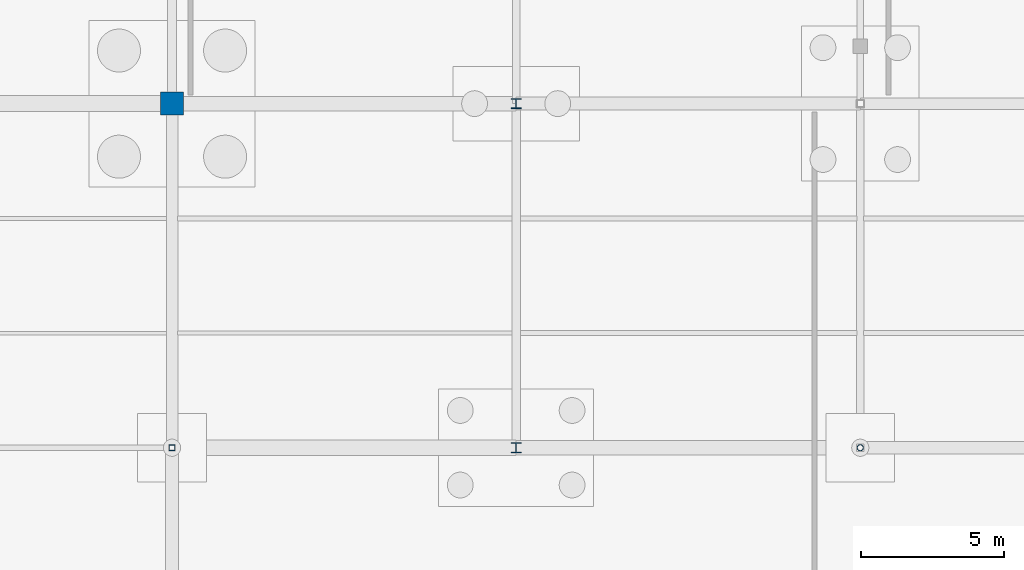
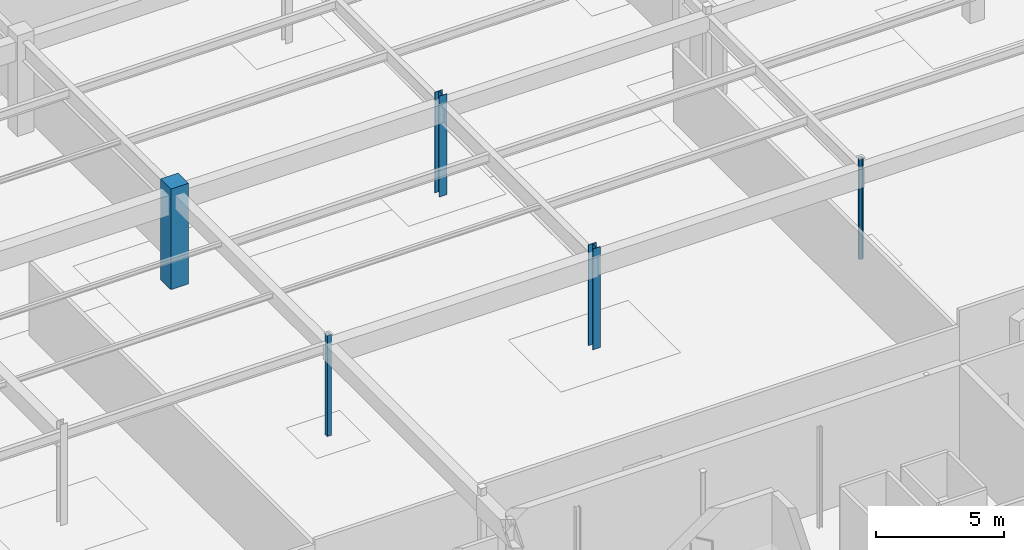
# One storey, part 26 of 136: 5 columns.
"""IFC4 building model written with IfcOpenShell, lengths in metres."""

from ifc_helpers import new_model, si_unit, direction, frame, origin, origin_2d, place, context, subcontext, project, spatial, rectangle, hollow_rectangle, hollow_circle, i_section, extrude, material, material_profile, profile_set, type_object, element, save


model = new_model("IFC4")

# Units and contexts
model_context = context("Model", 3, precision=1e-05, world=origin(), true_north=direction((0.0, 1.0)))
body_context = subcontext(model_context, "Body", "Model", "MODEL_VIEW")
ifc_project = project(units=[si_unit("LENGTHUNIT", "METRE"), si_unit("AREAUNIT", "SQUARE_METRE"), si_unit("VOLUMEUNIT", "CUBIC_METRE"), si_unit("PLANEANGLEUNIT", "RADIAN"), si_unit("MASSUNIT", "GRAM", prefix="KILO")], contexts=[model_context])

# Site, building, storey
site_placement = place(None, origin())
site = spatial("IfcSite", under=ifc_project, at=site_placement, CompositionType="ELEMENT")
building_placement = place(site_placement, origin())
building = spatial("IfcBuilding", under=site, at=building_placement, Name="Tarnwether General Hospital", CompositionType="ELEMENT")
storey_placement = place(building_placement, frame((0.0, 0.0, -4.800048828125)))
storey = spatial("IfcBuildingStorey", under=building, at=storey_placement, Name="LG", CompositionType="ELEMENT", Elevation=-4.800048828125)

# Columns
ifc_material_1 = material(Name="Steel Grade 350 (350 MPa)", Category="steel")
ifc_material_profile_1 = material_profile(ifc_material_1, i_section(OverallWidth=0.35009765625, OverallDepth=0.360107421875, WebThickness=0.01611328125, FlangeThickness=0.028076171875, at=origin_2d()), Name="350WC230")
ifc_profile_set_1 = profile_set([ifc_material_profile_1], Name="Steel Grade 350 (350 MPa)")
column_type_1 = type_object("IfcColumnType", Name="COL-03", PredefinedType="COLUMN", material=ifc_profile_set_1)
column_1_placement = place(storey_placement, frame((96.0, 33.60009765625, 0.0), z_axis=(0.0, 0.0, 1.0), x_axis=(1.0, 0.0, 0.0)))
element("IfcColumn", 1, at=column_1_placement, inside=storey, type_object=column_type_1, Name="Column COLG-LG-9600_3360", PredefinedType="COLUMN", context=body_context, shape_type="SweptSolid", body=[
    extrude(i_section(OverallWidth=0.35009765625, OverallDepth=0.360107421875, WebThickness=0.01611328125, FlangeThickness=0.028076171875, at=origin_2d()), origin(), (0.0, 0.0, 1.0), 4.800048828125),
])
ifc_material_2 = material(Name="Steel Grade 350 (350 MPa)", Category="steel")
ifc_material_profile_2 = material_profile(ifc_material_2, i_section(OverallWidth=0.35009765625, OverallDepth=0.35009765625, WebThickness=0.013916015625, FlangeThickness=0.02392578125, at=origin_2d()), Name="350WC197")
ifc_profile_set_2 = profile_set([ifc_material_profile_2], Name="Steel Grade 350 (350 MPa)")
column_type_2 = type_object("IfcColumnType", Name="COL-04", PredefinedType="COLUMN", material=ifc_profile_set_2)
column_2_placement = place(storey_placement, frame((96.0, 45.60009765625, 0.0), z_axis=(0.0, 0.0, 1.0), x_axis=(1.0, 0.0, 0.0)))
element("IfcColumn", 2, at=column_2_placement, inside=storey, type_object=column_type_2, Name="Column COLG-LG-9600_4560", PredefinedType="COLUMN", context=body_context, shape_type="SweptSolid", body=[
    extrude(i_section(OverallWidth=0.35009765625, OverallDepth=0.35009765625, WebThickness=0.013916015625, FlangeThickness=0.02392578125, at=origin_2d()), origin(), (0.0, 0.0, 1.0), 4.800048828125),
])
ifc_material_3 = material(Name="Steel Grade C350L0 (350 MPa)", Category="steel")
ifc_material_profile_3 = material_profile(ifc_material_3, hollow_circle(Radius=0.109619140625, WallThickness=0.010009765625, at=origin_2d()), Name="CHS219.1x10.0")
ifc_profile_set_3 = profile_set([ifc_material_profile_3], Name="Steel Grade C350L0 (350 MPa)")
column_type_3 = type_object("IfcColumnType", Name="COL-13", PredefinedType="COLUMN", material=ifc_profile_set_3)
column_3_placement = place(storey_placement, frame((108.0, 33.60009765625, 0.0), z_axis=(0.0, 0.0, 1.0), x_axis=(0.0, 1.0, 0.0)))
element("IfcColumn", 3, at=column_3_placement, inside=storey, type_object=column_type_3, Name="Column COLG-LG-10800_3360", PredefinedType="COLUMN", context=body_context, shape_type="SweptSolid", body=[
    extrude(hollow_circle(Radius=0.109619140625, WallThickness=0.010009765625, at=origin_2d()), origin(), (0.0, 0.0, 1.0), 4.800048828125),
])
ifc_material_4 = material(Name="Steel Grade C350L0 (350 MPa)", Category="steel")
ifc_material_profile_4 = material_profile(ifc_material_4, hollow_rectangle(XDim=0.199951171875, YDim=0.199951171875, WallThickness=0.010009765625, at=origin_2d()), Name="SHS200x200x10")
ifc_profile_set_4 = profile_set([ifc_material_profile_4], Name="Steel Grade C350L0 (350 MPa)")
column_type_4 = type_object("IfcColumnType", Name="COL-15", PredefinedType="COLUMN", material=ifc_profile_set_4)
column_4_placement = place(storey_placement, frame((84.0, 33.60009765625, 0.0), z_axis=(0.0, 0.0, 1.0), x_axis=(0.0, 1.0, 0.0)))
element("IfcColumn", 4, at=column_4_placement, inside=storey, type_object=column_type_4, Name="Column COLG-LG-8400_3360", PredefinedType="COLUMN", context=body_context, shape_type="SweptSolid", body=[
    extrude(hollow_rectangle(XDim=0.199951171875, YDim=0.199951171875, WallThickness=0.010009765625, at=origin_2d()), origin(), (0.0, 0.0, 1.0), 4.800048828125),
])
ifc_material_5 = material(Name="Concrete 50 MPa", Category="concrete")
ifc_material_profile_5 = material_profile(ifc_material_5, rectangle(XDim=0.800048828125, YDim=0.800048828125, at=origin_2d()), Name="RC-COL-800x800")
ifc_profile_set_5 = profile_set([ifc_material_profile_5], Name="Concrete 50 MPa")
column_type_5 = type_object("IfcColumnType", Name="COL-16", PredefinedType="COLUMN", material=ifc_profile_set_5)
column_5_placement = place(storey_placement, frame((84.0, 45.60009765625, 0.0), z_axis=(0.0, 0.0, 1.0), x_axis=(0.0, 1.0, 0.0)))
element("IfcColumn", 5, at=column_5_placement, inside=storey, type_object=column_type_5, Name="Column COLG-LG-8400_4560", PredefinedType="COLUMN", context=body_context, shape_type="SweptSolid", body=[
    extrude(rectangle(XDim=0.800048828125, YDim=0.800048828125, at=origin_2d()), origin(), (0.0, 0.0, 1.0), 4.800048828125),
])

save(model, "model.ifc")
